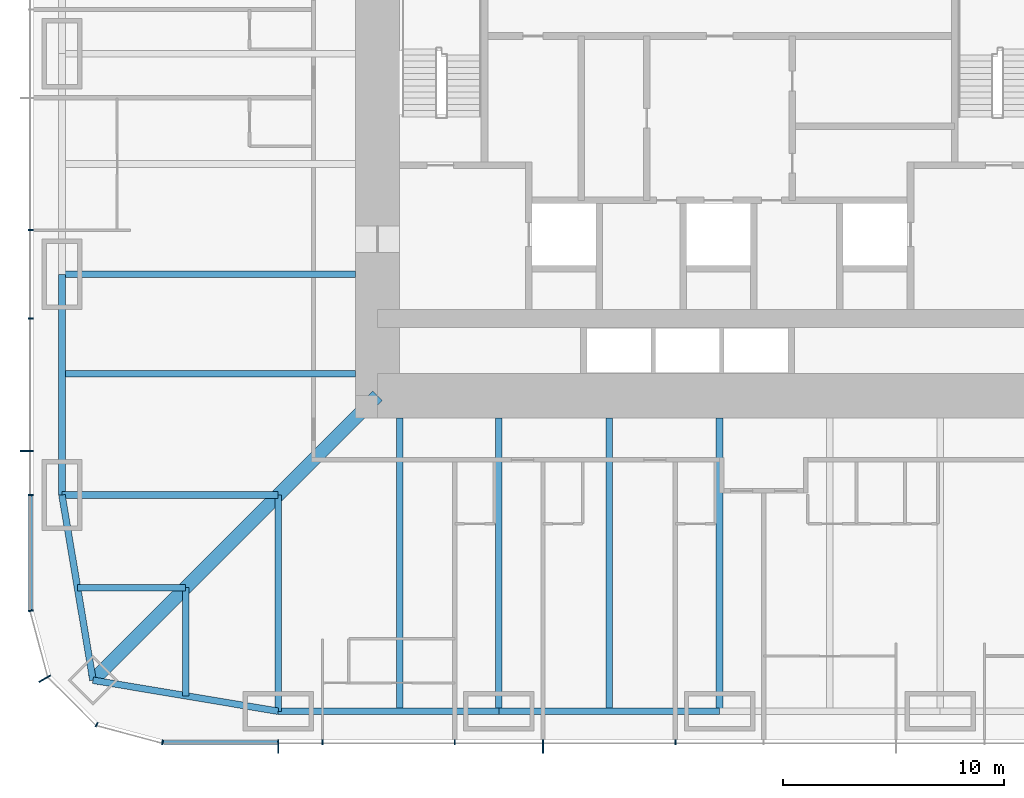
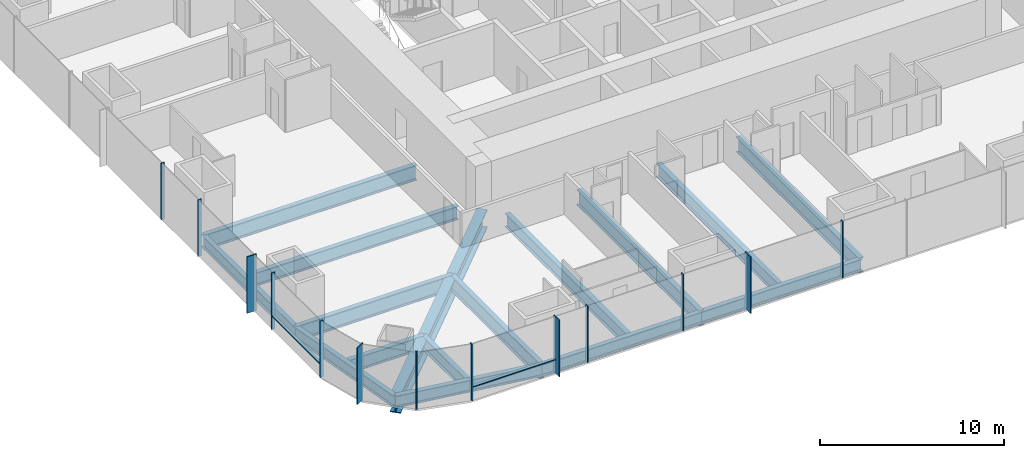
# One storey, part 2 of 16: 16 beams, 15 members, 3 elements without a shape of their own.
"""IFC4 building model written with IfcOpenShell, lengths in metres."""

from ifc_helpers import new_model, si_unit, direction, frame, origin, origin_2d, place, context, subcontext, project, spatial, rectangle, i_section, extrude, material, material_profile, profile_set, type_object, element, aggregate, save


model = new_model("IFC4")

# Units and contexts
model_context = context("Model", 3, precision=1e-05, world=origin(), true_north=direction((0.0, 1.0)))
body_context = subcontext(model_context, "Body", "Model", "MODEL_VIEW")
ifc_project = project(units=[si_unit("LENGTHUNIT", "METRE"), si_unit("AREAUNIT", "SQUARE_METRE"), si_unit("VOLUMEUNIT", "CUBIC_METRE"), si_unit("PLANEANGLEUNIT", "RADIAN"), si_unit("MASSUNIT", "GRAM", prefix="KILO")], contexts=[model_context])

# Site, building, storey
site_placement = place(None, origin())
site = spatial("IfcSite", under=ifc_project, at=site_placement, CompositionType="ELEMENT")
building_placement = place(site_placement, origin())
building = spatial("IfcBuilding", under=site, at=building_placement, Name="Khuree Lantern Residences", CompositionType="ELEMENT")
storey_placement = place(building_placement, frame((0.0, 0.0, 69.75)))
storey = spatial("IfcBuildingStorey", under=building, at=storey_placement, Name="L17", CompositionType="ELEMENT", Elevation=69.75)

# Beams
ifc_material_1 = material(Name="Steel S355", Category="steel")
ifc_material_profile_1 = material_profile(ifc_material_1, i_section(OverallWidth=0.300048828125, OverallDepth=0.889892578125, WebThickness=0.01611328125, FlangeThickness=0.030029296875, FilletRadius=0.030029296875, at=origin_2d()), Name="HE 900 A")
ifc_profile_set_1 = profile_set([ifc_material_profile_1], Name="Steel S355")
beam_type_1 = type_object("IfcBeamType", Name="B-14 SECONDARY BEAM HE 900 A", PredefinedType="BEAM", material=ifc_profile_set_1)
for number, where, z_axis, x_axis, name in (
    (1, (-5.0, -29.800048828125, -0.695068359375), (0.0, 1.0, 0.0), (-1.0, 0.0, 0.0), "Secondary beam S4"),
    (2, (-14.5, -29.800048828125, -0.695068359375), (0.0, 1.0, 0.0), (-1.0, 0.0, 0.0), "Secondary beam S5"),
):
    element("IfcBeam", number, at=place(storey_placement, frame(where, z_axis=z_axis, x_axis=x_axis)), inside=storey, type_object=beam_type_1, Name=name, PredefinedType="BEAM", context=body_context, shape_type="SweptSolid", body=[
        extrude(i_section(OverallWidth=0.300048828125, OverallDepth=0.889892578125, WebThickness=0.01611328125, FlangeThickness=0.030029296875, FilletRadius=0.030029296875, at=origin_2d()), origin(), (0.0, 0.0, 1.0), 13.300048828125),
    ])
for number, where, z_axis, x_axis, name in (
    (3, (-24.197021484375, -29.09716796875, -0.695068359375), (0.0, 1.0, 0.0), (-1.0, 0.0, 0.0), "Secondary beam S6"),
    (4, (-29.09716796875, -24.197021484375, -0.695068359375), (1.0, 0.0, 0.0), (0.0, 1.0, 0.0), "Secondary beam W1"),
):
    element("IfcBeam", number, at=place(storey_placement, frame(where, z_axis=z_axis, x_axis=x_axis)), inside=storey, type_object=beam_type_1, Name=name, PredefinedType="BEAM", context=body_context, shape_type="SweptSolid", body=[
        extrude(i_section(OverallWidth=0.300048828125, OverallDepth=0.889892578125, WebThickness=0.01611328125, FlangeThickness=0.030029296875, FilletRadius=0.030029296875, at=origin_2d()), origin(), (0.0, 0.0, 1.0), 4.900146484375),
    ])
beam_1_placement = place(storey_placement, frame((-29.800048828125, -14.5, -0.695068359375), z_axis=(1.0, 0.0, 0.0), x_axis=(0.0, 1.0, 0.0)))
element("IfcBeam", 5, at=beam_1_placement, inside=storey, type_object=beam_type_1, Name="Secondary beam W2", PredefinedType="BEAM", context=body_context, shape_type="SweptSolid", body=[
    extrude(i_section(OverallWidth=0.300048828125, OverallDepth=0.889892578125, WebThickness=0.01611328125, FlangeThickness=0.030029296875, FilletRadius=0.030029296875, at=origin_2d()), origin(), (0.0, 0.0, 1.0), 13.300048828125),
])
ifc_material_profile_2 = material_profile(ifc_material_1, i_section(OverallWidth=0.300048828125, OverallDepth=0.7900390625, WebThickness=0.014892578125, FlangeThickness=0.028076171875, FilletRadius=0.030029296875, at=origin_2d()), Name="HE 800 A")
ifc_profile_set_2 = profile_set([ifc_material_profile_2], Name="Steel S355")
beam_type_2 = type_object("IfcBeamType", Name="E-14 SPANDREL BEAM HE 800 A", PredefinedType="SPANDREL", material=ifc_profile_set_2)
for number, where, z_axis, x_axis, name in (
    (6, (0.0, -29.800048828125, -0.64501953125), (-1.0, 0.0, 0.0), (0.0, -1.0, 0.0), "Spandrel beam S4"),
    (7, (-10.0, -29.800048828125, -0.64501953125), (-1.0, 0.0, 0.0), (0.0, -1.0, 0.0), "Spandrel beam S5"),
):
    element("IfcBeam", number, at=place(storey_placement, frame(where, z_axis=z_axis, x_axis=x_axis)), inside=storey, type_object=beam_type_2, Name=name, PredefinedType="SPANDREL", context=body_context, shape_type="SweptSolid", body=[
        extrude(i_section(OverallWidth=0.300048828125, OverallDepth=0.7900390625, WebThickness=0.014892578125, FlangeThickness=0.028076171875, FilletRadius=0.030029296875, at=origin_2d()), origin(), (0.0, 0.0, 1.0), 10.0),
    ])
for number, where, z_axis, x_axis, name in (
    (8, (-20.0, -29.800048828125, -0.64501953125), (-0.986260251158, 0.165199022349, 0.0), (-0.165199022349, -0.986260251158, 0.0), "Spandrel beam S6"),
    (9, (-28.39404296875, -28.39404296875, -0.64501953125), (-0.165199022349, 0.986260251158, 0.0), (-0.986260251158, -0.165199022349, 0.0), "Spandrel beam W1"),
):
    element("IfcBeam", number, at=place(storey_placement, frame(where, z_axis=z_axis, x_axis=x_axis)), inside=storey, type_object=beam_type_2, Name=name, PredefinedType="SPANDREL", context=body_context, shape_type="SweptSolid", body=[
        extrude(i_section(OverallWidth=0.300048828125, OverallDepth=0.7900390625, WebThickness=0.014892578125, FlangeThickness=0.028076171875, FilletRadius=0.030029296875, at=origin_2d()), origin(), (0.0, 0.0, 1.0), 8.510986328125),
    ])
beam_2_placement = place(storey_placement, frame((-29.800048828125, -20.0, -0.64501953125), z_axis=(0.0, 1.0, 0.0), x_axis=(-1.0, 0.0, 0.0)))
element("IfcBeam", 10, at=beam_2_placement, inside=storey, type_object=beam_type_2, Name="Spandrel beam W2", PredefinedType="SPANDREL", context=body_context, shape_type="SweptSolid", body=[
    extrude(i_section(OverallWidth=0.300048828125, OverallDepth=0.7900390625, WebThickness=0.014892578125, FlangeThickness=0.028076171875, FilletRadius=0.030029296875, at=origin_2d()), origin(), (0.0, 0.0, 1.0), 10.0),
])

# Curtain wall, member
ifc_material_2 = material(Name="Bronze anodised aluminium", Category="aluminium")
curtain_wall_type_1 = type_object("IfcCurtainWallType", Name="CW-T1 TOWER FACE CURTAIN WALL", PredefinedType="USERDEFINED", material=ifc_material_2)
curtain_wall_1_placement = place(storey_placement, origin())
curtain_wall_1 = element("IfcCurtainWall", 11, at=curtain_wall_1_placement, inside=storey, type_object=curtain_wall_type_1, Name="L17 WEST FACE CURTAIN WALL", ObjectType="Stick-built curtain wall", PredefinedType="USERDEFINED")
ifc_material_profile_3 = material_profile(ifc_material_2, rectangle(XDim=0.06494140625, YDim=0.60009765625, at=origin_2d()), Name="F1 65X600")
ifc_profile_set_3 = profile_set([ifc_material_profile_3], Name="Bronze anodised aluminium")
member_type_1 = type_object("IfcMemberType", Name="F1 BRONZE FIN MULLION TOWER 65X600", PredefinedType="MULLION", material=ifc_profile_set_3)
member_1_placement = place(storey_placement, frame((-31.39990234375, -18.0, 0.0), z_axis=(0.0, 0.0, 1.0), x_axis=(0.0, -1.0, 0.0)))
member_1 = element("IfcMember", 12, at=member_1_placement, type_object=member_type_1, Name="L17 WEST FACE FIN MULLION 41", PredefinedType="MULLION", context=body_context, shape_type="SweptSolid", body=[
    extrude(rectangle(XDim=0.06494140625, YDim=0.60009765625, at=origin_2d()), origin(), (0.0, 0.0, 1.0), 3.75),
])

curtain_wall_type_2 = type_object("IfcCurtainWallType", Name="CW-T2 TOWER CORNER CURTAIN WALL", PredefinedType="USERDEFINED", material=ifc_material_2)
curtain_wall_2_placement = place(storey_placement, origin())
curtain_wall_2 = element("IfcCurtainWall", 13, at=curtain_wall_2_placement, inside=storey, type_object=curtain_wall_type_2, Name="L17 SOUTH-WEST CORNER CURTAIN WALL", ObjectType="Faceted corner curtain wall", PredefinedType="USERDEFINED")
member_2_placement = place(storey_placement, frame((-30.576171875, -28.324951171875, 0.0), z_axis=(0.0, 0.0, 1.0), x_axis=(0.500000056923, -0.86602537092, 0.0)))
member_2 = element("IfcMember", 14, at=member_2_placement, type_object=member_type_1, Name="L17 SOUTH-WEST CORNER FIN MULLION 44", PredefinedType="MULLION", context=body_context, shape_type="SweptSolid", body=[
    extrude(rectangle(XDim=0.06494140625, YDim=0.60009765625, at=origin_2d()), origin(), (0.0, 0.0, 1.0), 3.75),
])

# Curtain wall, members
curtain_wall_3_placement = place(storey_placement, origin())
curtain_wall_3 = element("IfcCurtainWall", 15, at=curtain_wall_3_placement, inside=storey, type_object=curtain_wall_type_1, Name="L17 SOUTH FACE CURTAIN WALL", ObjectType="Stick-built curtain wall", PredefinedType="USERDEFINED")
member_3_placement = place(storey_placement, frame((-20.0, -31.39990234375, 0.0), z_axis=(0.0, 0.0, 1.0), x_axis=(1.0, 0.0, 0.0)))
member_3 = element("IfcMember", 16, at=member_3_placement, type_object=member_type_1, Name="L17 SOUTH FACE FIN MULLION 47", PredefinedType="MULLION", context=body_context, shape_type="SweptSolid", body=[
    extrude(rectangle(XDim=0.06494140625, YDim=0.60009765625, at=origin_2d()), origin(), (0.0, 0.0, 1.0), 3.75),
])
member_4_placement = place(storey_placement, frame((-8.0, -31.39990234375, 0.0), z_axis=(0.0, 0.0, 1.0), x_axis=(1.0, 0.0, 0.0)))
member_4 = element("IfcMember", 17, at=member_4_placement, type_object=member_type_1, Name="L17 SOUTH FACE FIN MULLION 50", PredefinedType="MULLION", context=body_context, shape_type="SweptSolid", body=[
    extrude(rectangle(XDim=0.06494140625, YDim=0.60009765625, at=origin_2d()), origin(), (0.0, 0.0, 1.0), 3.75),
])

# Beams
ifc_material_profile_4 = material_profile(ifc_material_1, i_section(OverallWidth=0.302001953125, OverallDepth=1.008056640625, WebThickness=0.02099609375, FlangeThickness=0.0400390625, FilletRadius=0.030029296875, at=origin_2d()), Name="HE 1000 M")
ifc_profile_set_4 = profile_set([ifc_material_profile_4], Name="Steel S355")
beam_type_3 = type_object("IfcBeamType", Name="G-14 GIRDER HE 1000 M", PredefinedType="BEAM", material=ifc_profile_set_4)
for number, where, z_axis, x_axis, name in (
    (18, (0.0, -29.800048828125, -0.75390625), (0.0, 1.0, 0.0), (-1.0, 0.0, 0.0), "Girder S3"),
    (19, (-10.0, -29.800048828125, -0.75390625), (0.0, 1.0, 0.0), (-1.0, 0.0, 0.0), "Girder S4"),
):
    element("IfcBeam", number, at=place(storey_placement, frame(where, z_axis=z_axis, x_axis=x_axis)), inside=storey, type_object=beam_type_3, Name=name, PredefinedType="BEAM", context=body_context, shape_type="SweptSolid", body=[
        extrude(i_section(OverallWidth=0.302001953125, OverallDepth=1.008056640625, WebThickness=0.02099609375, FlangeThickness=0.0400390625, FilletRadius=0.030029296875, at=origin_2d()), origin(), (0.0, 0.0, 1.0), 13.300048828125),
    ])
for number, where, z_axis, x_axis, name in (
    (20, (-20.0, -29.800048828125, -0.75390625), (0.0, 1.0, 0.0), (-1.0, 0.0, 0.0), "Girder S5"),
    (21, (-29.800048828125, -20.0, -0.75390625), (1.0, 0.0, 0.0), (0.0, 1.0, 0.0), "Girder W1"),
):
    element("IfcBeam", number, at=place(storey_placement, frame(where, z_axis=z_axis, x_axis=x_axis)), inside=storey, type_object=beam_type_3, Name=name, PredefinedType="BEAM", context=body_context, shape_type="SweptSolid", body=[
        extrude(i_section(OverallWidth=0.302001953125, OverallDepth=1.008056640625, WebThickness=0.02099609375, FlangeThickness=0.0400390625, FilletRadius=0.030029296875, at=origin_2d()), origin(), (0.0, 0.0, 1.0), 9.800048828125),
    ])
beam_3_placement = place(storey_placement, frame((-29.800048828125, -10.0, -0.75390625), z_axis=(1.0, 0.0, 0.0), x_axis=(0.0, 1.0, 0.0)))
element("IfcBeam", 22, at=beam_3_placement, inside=storey, type_object=beam_type_3, Name="Girder W2", PredefinedType="BEAM", context=body_context, shape_type="SweptSolid", body=[
    extrude(i_section(OverallWidth=0.302001953125, OverallDepth=1.008056640625, WebThickness=0.02099609375, FlangeThickness=0.0400390625, FilletRadius=0.030029296875, at=origin_2d()), origin(), (0.0, 0.0, 1.0), 13.300048828125),
])
ifc_material_profile_5 = material_profile(ifc_material_1, i_section(OverallWidth=0.60009765625, OverallDepth=1.199951171875, WebThickness=0.030029296875, FlangeThickness=0.06005859375, at=origin_2d()), Name="WELDED I 1200X600X30X60")
ifc_profile_set_5 = profile_set([ifc_material_profile_5], Name="Steel S355")
beam_type_4 = type_object("IfcBeamType", Name="GD-14 CORNER GIRDER WELDED I 1200X600X30X60", PredefinedType="BEAM", material=ifc_profile_set_5)
beam_4_placement = place(storey_placement, frame((-28.39404296875, -28.39404296875, -0.85009765625), z_axis=(0.707106781187, 0.707106781187, 0.0), x_axis=(-0.707106781187, 0.707106781187, 0.0)))
element("IfcBeam", 23, at=beam_4_placement, inside=storey, type_object=beam_type_4, Name="Corner girder SW", PredefinedType="BEAM", context=body_context, shape_type="SweptSolid", body=[
    extrude(i_section(OverallWidth=0.60009765625, OverallDepth=1.199951171875, WebThickness=0.030029296875, FlangeThickness=0.06005859375, at=origin_2d()), origin(), (0.0, 0.0, 1.0), 18.23486328125),
])

# Member
ifc_material_profile_6 = material_profile(ifc_material_2, rectangle(XDim=0.06494140625, YDim=0.219970703125, at=origin_2d()), Name="M1 65X220")
ifc_profile_set_6 = profile_set([ifc_material_profile_6], Name="Bronze anodised aluminium")
member_type_2 = type_object("IfcMemberType", Name="M1 BRONZE MULLION TOWER 65X220", PredefinedType="MULLION", material=ifc_profile_set_6)
member_5_placement = place(storey_placement, frame((-31.2099609375, -8.0, 0.0), z_axis=(0.0, 0.0, 1.0), x_axis=(0.0, -1.0, 0.0)))
member_5 = element("IfcMember", 24, at=member_5_placement, type_object=member_type_2, Name="L17 WEST FACE MULLION 39", PredefinedType="MULLION", context=body_context, shape_type="SweptSolid", body=[
    extrude(rectangle(XDim=0.06494140625, YDim=0.219970703125, at=origin_2d()), origin(), (0.0, 0.0, 1.0), 3.75),
])

member_6_placement = place(storey_placement, frame((-31.2099609375, -12.0, 0.0), z_axis=(0.0, 0.0, 1.0), x_axis=(0.0, -1.0, 0.0)))
member_6 = element("IfcMember", 25, at=member_6_placement, type_object=member_type_2, Name="L17 WEST FACE MULLION 40", PredefinedType="MULLION", context=body_context, shape_type="SweptSolid", body=[
    extrude(rectangle(XDim=0.06494140625, YDim=0.219970703125, at=origin_2d()), origin(), (0.0, 0.0, 1.0), 3.75),
])

member_7_placement = place(storey_placement, frame((-31.2099609375, -20.0, 0.0), z_axis=(0.0, 0.0, 1.0), x_axis=(0.0, -1.0, 0.0)))
member_7 = element("IfcMember", 26, at=member_7_placement, type_object=member_type_2, Name="L17 WEST FACE MULLION 42", PredefinedType="MULLION", context=body_context, shape_type="SweptSolid", body=[
    extrude(rectangle(XDim=0.06494140625, YDim=0.219970703125, at=origin_2d()), origin(), (0.0, 0.0, 1.0), 3.75),
])

member_8_placement = place(storey_placement, frame((-31.211669921875, -25.244873046875, 0.0), z_axis=(0.0, 0.0, 1.0), x_axis=(0.130526257387, -0.991444852794, 0.0)))
member_8 = element("IfcMember", 27, at=member_8_placement, type_object=member_type_2, Name="L17 SOUTH-WEST CORNER MULLION 43", PredefinedType="MULLION", context=body_context, shape_type="SweptSolid", body=[
    extrude(rectangle(XDim=0.06494140625, YDim=0.219970703125, at=origin_2d()), origin(), (0.0, 0.0, 1.0), 3.75),
])

member_9_placement = place(storey_placement, frame((-28.22998046875, -30.41162109375, 0.0), z_axis=(0.0, 0.0, 1.0), x_axis=(0.86602537092, -0.500000056923, 0.0)))
member_9 = element("IfcMember", 28, at=member_9_placement, type_object=member_type_2, Name="L17 SOUTH-WEST CORNER MULLION 45", PredefinedType="MULLION", context=body_context, shape_type="SweptSolid", body=[
    extrude(rectangle(XDim=0.06494140625, YDim=0.219970703125, at=origin_2d()), origin(), (0.0, 0.0, 1.0), 3.75),
])

aggregate(curtain_wall_2, [member_8, member_2, member_9])

member_10_placement = place(storey_placement, frame((-25.244873046875, -31.211669921875, 0.0), z_axis=(0.0, 0.0, 1.0), x_axis=(0.991444852794, -0.130526257387, 0.0)))
member_10 = element("IfcMember", 29, at=member_10_placement, type_object=member_type_2, Name="L17 SOUTH FACE MULLION 46", PredefinedType="MULLION", context=body_context, shape_type="SweptSolid", body=[
    extrude(rectangle(XDim=0.06494140625, YDim=0.219970703125, at=origin_2d()), origin(), (0.0, 0.0, 1.0), 3.75),
])

member_11_placement = place(storey_placement, frame((-18.0, -31.2099609375, 0.0), z_axis=(0.0, 0.0, 1.0), x_axis=(1.0, 0.0, 0.0)))
member_11 = element("IfcMember", 30, at=member_11_placement, type_object=member_type_2, Name="L17 SOUTH FACE MULLION 48", PredefinedType="MULLION", context=body_context, shape_type="SweptSolid", body=[
    extrude(rectangle(XDim=0.06494140625, YDim=0.219970703125, at=origin_2d()), origin(), (0.0, 0.0, 1.0), 3.75),
])

member_12_placement = place(storey_placement, frame((-12.0, -31.2099609375, 0.0), z_axis=(0.0, 0.0, 1.0), x_axis=(1.0, 0.0, 0.0)))
member_12 = element("IfcMember", 31, at=member_12_placement, type_object=member_type_2, Name="L17 SOUTH FACE MULLION 49", PredefinedType="MULLION", context=body_context, shape_type="SweptSolid", body=[
    extrude(rectangle(XDim=0.06494140625, YDim=0.219970703125, at=origin_2d()), origin(), (0.0, 0.0, 1.0), 3.75),
])

member_13_placement = place(storey_placement, frame((-2.0, -31.2099609375, 0.0), z_axis=(0.0, 0.0, 1.0), x_axis=(1.0, 0.0, 0.0)))
member_13 = element("IfcMember", 32, at=member_13_placement, type_object=member_type_2, Name="L17 SOUTH FACE MULLION 51", PredefinedType="MULLION", context=body_context, shape_type="SweptSolid", body=[
    extrude(rectangle(XDim=0.06494140625, YDim=0.219970703125, at=origin_2d()), origin(), (0.0, 0.0, 1.0), 3.75),
])

ifc_material_profile_7 = material_profile(ifc_material_2, rectangle(XDim=0.179931640625, YDim=0.06494140625, at=origin_2d()), Name="T1 180X65")
ifc_profile_set_7 = profile_set([ifc_material_profile_7], Name="Bronze anodised aluminium")
member_type_3 = type_object("IfcMemberType", Name="TRANSOM T1 TOWER 180X65", PredefinedType="USERDEFINED", material=ifc_profile_set_7)
member_14_placement = place(storey_placement, frame((-31.219970703125, -20.032470703125, 0.89990234375), z_axis=(0.0, -1.0, 0.0), x_axis=(1.0, 0.0, 0.0)))
member_14 = element("IfcMember", 33, at=member_14_placement, type_object=member_type_3, Name="L17 WEST FACE TRANSOM 42.1", ObjectType="Transom", PredefinedType="USERDEFINED", context=body_context, shape_type="SweptSolid", body=[
    extrude(rectangle(XDim=0.179931640625, YDim=0.06494140625, at=origin_2d()), origin(), (0.0, 0.0, 1.0), 5.1689453125),
])

aggregate(curtain_wall_1, [member_5, member_6, member_1, member_7, member_14])

member_15_placement = place(storey_placement, frame((-25.201416015625, -31.219970703125, 0.89990234375), z_axis=(1.0, 0.0, 0.0), x_axis=(0.0, 1.0, 0.0)))
member_15 = element("IfcMember", 34, at=member_15_placement, type_object=member_type_3, Name="L17 SOUTH FACE TRANSOM 46.1", ObjectType="Transom", PredefinedType="USERDEFINED", context=body_context, shape_type="SweptSolid", body=[
    extrude(rectangle(XDim=0.179931640625, YDim=0.06494140625, at=origin_2d()), origin(), (0.0, 0.0, 1.0), 5.1689453125),
])

aggregate(curtain_wall_3, [member_10, member_3, member_11, member_12, member_4, member_13, member_15])

save(model, "model.ifc")
